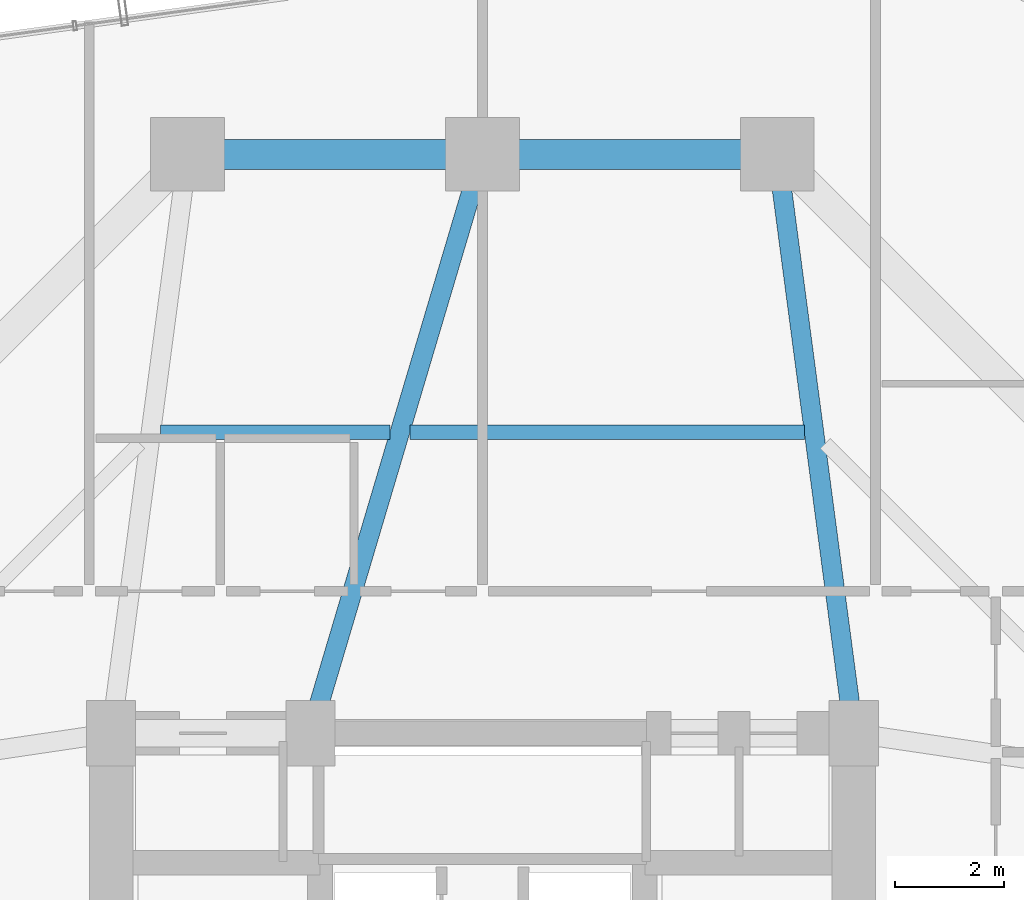
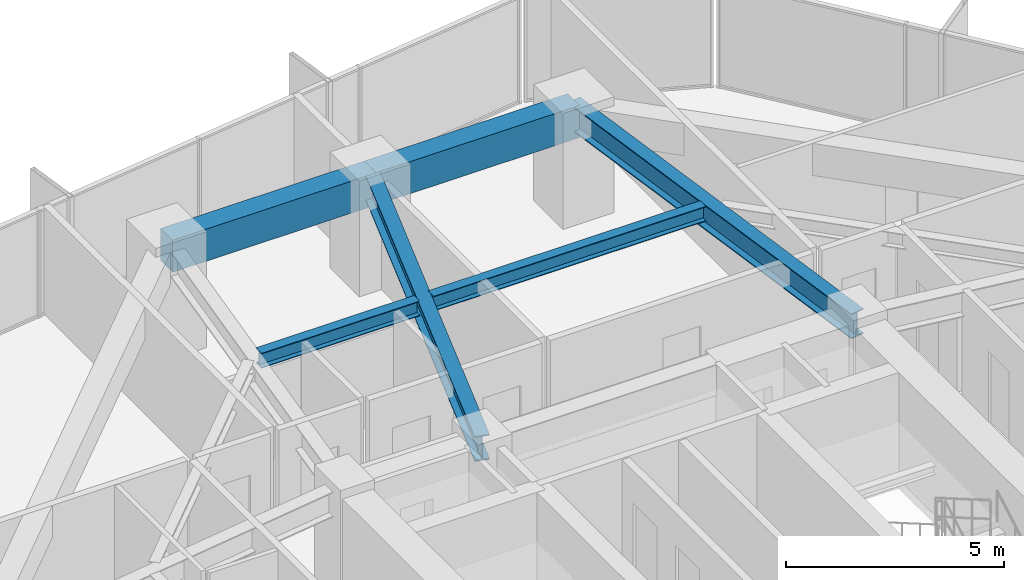
# One storey, part 24 of 37: 6 beams.
"""IFC4 building model written with IfcOpenShell, lengths in metres."""

from ifc_helpers import new_model, si_unit, direction, frame, origin, origin_2d, place, context, subcontext, project, spatial, rectangle, i_section, extrude, material, material_profile, profile_set, type_object, element, save


model = new_model("IFC4")

# Units and contexts
model_context = context("Model", 3, precision=1e-05, world=origin(), true_north=direction((0.0, 1.0)))
body_context = subcontext(model_context, "Body", "Model", "MODEL_VIEW")
ifc_project = project(units=[si_unit("LENGTHUNIT", "METRE"), si_unit("AREAUNIT", "SQUARE_METRE"), si_unit("VOLUMEUNIT", "CUBIC_METRE"), si_unit("PLANEANGLEUNIT", "RADIAN"), si_unit("MASSUNIT", "GRAM", prefix="KILO")], contexts=[model_context])

# Site, building, storey
site_placement = place(None, origin())
site = spatial("IfcSite", under=ifc_project, at=site_placement, CompositionType="ELEMENT")
building_placement = place(site_placement, origin())
building = spatial("IfcBuilding", under=site, at=building_placement, Name="Veraguas Prism Commons", CompositionType="ELEMENT")
storey_placement = place(building_placement, frame((0.0, 0.0, 50.050048828125)))
storey = spatial("IfcBuildingStorey", under=building, at=storey_placement, Name="L13", CompositionType="ELEMENT", Elevation=50.050048828125)

# Beams
ifc_material_1 = material(Name="Steel ASTM A992 Grade 50", Category="steel")
ifc_material_profile_1 = material_profile(ifc_material_1, i_section(OverallWidth=0.260986328125, OverallDepth=0.419921875, WebThickness=0.01171875, FlangeThickness=0.019287109375, at=origin_2d()), Name="W410X114")
ifc_profile_set_1 = profile_set([ifc_material_profile_1], Name="Steel ASTM A992 Grade 50")
beam_type_1 = type_object("IfcBeamType", Name="Lower Floor Joist W410x114", PredefinedType="JOIST", material=ifc_profile_set_1)
beam_1_placement = place(storey_placement, frame((29.89453125, 36.511962890625, 2.7900390625), z_axis=(-1.0, 0.0, 0.0), x_axis=(0.0, -1.0, 0.0)))
element("IfcBeam", 1, at=beam_1_placement, inside=storey, type_object=beam_type_1, Name="Composite Floor Joist L13-JS04", PredefinedType="JOIST", context=body_context, shape_type="SweptSolid", body=[
    extrude(i_section(OverallWidth=0.260986328125, OverallDepth=0.419921875, WebThickness=0.01171875, FlangeThickness=0.019287109375, at=origin_2d()), origin(), (0.0, 0.0, 1.0), 7.222900390625),
])
beam_2_placement = place(storey_placement, frame((22.304443359375, 36.511962890625, 2.7900390625), z_axis=(-1.0, 0.0, 0.0), x_axis=(0.0, -1.0, 0.0)))
element("IfcBeam", 2, at=beam_2_placement, inside=storey, type_object=beam_type_1, Name="Composite Floor Joist L13-JS05", PredefinedType="JOIST", context=body_context, shape_type="SweptSolid", body=[
    extrude(i_section(OverallWidth=0.260986328125, OverallDepth=0.419921875, WebThickness=0.01171875, FlangeThickness=0.019287109375, at=origin_2d()), origin(), (0.0, 0.0, 1.0), 4.198974609375),
])
ifc_material_2 = material(Name="Concrete C50/60", Category="concrete")
ifc_material_profile_2 = material_profile(ifc_material_2, rectangle(XDim=0.550048828125, YDim=0.89990234375, at=origin_2d()), Name="RC550X900")
ifc_profile_set_2 = profile_set([ifc_material_profile_2], Name="Concrete C50/60")
beam_type_2 = type_object("IfcBeamType", Name="Perimeter Spandrel Lower RC 550x900", PredefinedType="SPANDREL", material=ifc_profile_set_2)
for number, where, z_axis, x_axis, name in (
    (3, (29.39990234375, 41.60009765625, 2.550048828125), (-1.0, 0.0, 0.0), (0.0, -1.0, 0.0), "Perimeter Spandrel Beam L13-SP04"),
    (4, (24.0, 41.60009765625, 2.550048828125), (-1.0, 0.0, 0.0), (0.0, -1.0, 0.0), "Perimeter Spandrel Beam L13-SP05"),
):
    element("IfcBeam", number, at=place(storey_placement, frame(where, z_axis=z_axis, x_axis=x_axis)), inside=storey, type_object=beam_type_2, Name=name, PredefinedType="SPANDREL", context=body_context, shape_type="SweptSolid", body=[
        extrude(rectangle(XDim=0.550048828125, YDim=0.89990234375, at=origin_2d()), origin(), (0.0, 0.0, 1.0), 5.39990234375),
    ])
ifc_material_profile_3 = material_profile(ifc_material_1, i_section(OverallWidth=0.35595703125, OverallDepth=0.700927734375, WebThickness=0.016845703125, FlangeThickness=0.02734375, at=origin_2d()), Name="W690X240")
ifc_profile_set_3 = profile_set([ifc_material_profile_3], Name="Steel ASTM A992 Grade 50")
beam_type_3 = type_object("IfcBeamType", Name="Zone 1 Radial Girder W690x240", PredefinedType="BEAM", material=ifc_profile_set_3)
beam_3_placement = place(storey_placement, frame((29.39990234375, 41.60009765625, 2.6494140625), z_axis=(0.130950648891, -0.991388888154, 0.0), x_axis=(0.991388888154, 0.130950648891, 0.0)))
element("IfcBeam", 5, at=beam_3_placement, inside=storey, type_object=beam_type_3, Name="Radial Floor Girder L13-RD04", PredefinedType="BEAM", context=body_context, shape_type="SweptSolid", body=[
    extrude(i_section(OverallWidth=0.35595703125, OverallDepth=0.700927734375, WebThickness=0.016845703125, FlangeThickness=0.02734375, at=origin_2d()), origin(), (0.0, 0.0, 1.0), 10.692138671875),
])
beam_4_placement = place(storey_placement, frame((24.0, 41.60009765625, 2.6494140625), z_axis=(-0.28484745997, -0.958572858237, 0.0), x_axis=(0.958572858237, -0.28484745997, 0.0)))
element("IfcBeam", 6, at=beam_4_placement, inside=storey, type_object=beam_type_3, Name="Radial Floor Girder L13-RD05", PredefinedType="BEAM", context=body_context, shape_type="SweptSolid", body=[
    extrude(i_section(OverallWidth=0.35595703125, OverallDepth=0.700927734375, WebThickness=0.016845703125, FlangeThickness=0.02734375, at=origin_2d()), origin(), (0.0, 0.0, 1.0), 11.05810546875),
])

save(model, "model.ifc")
